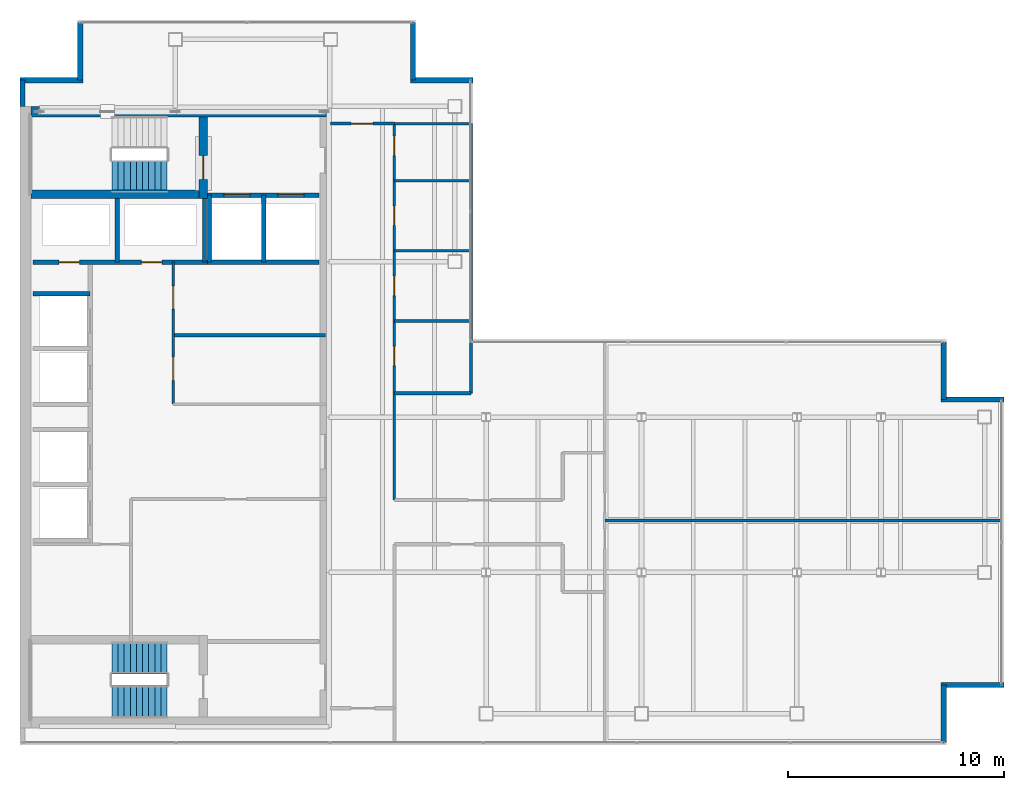
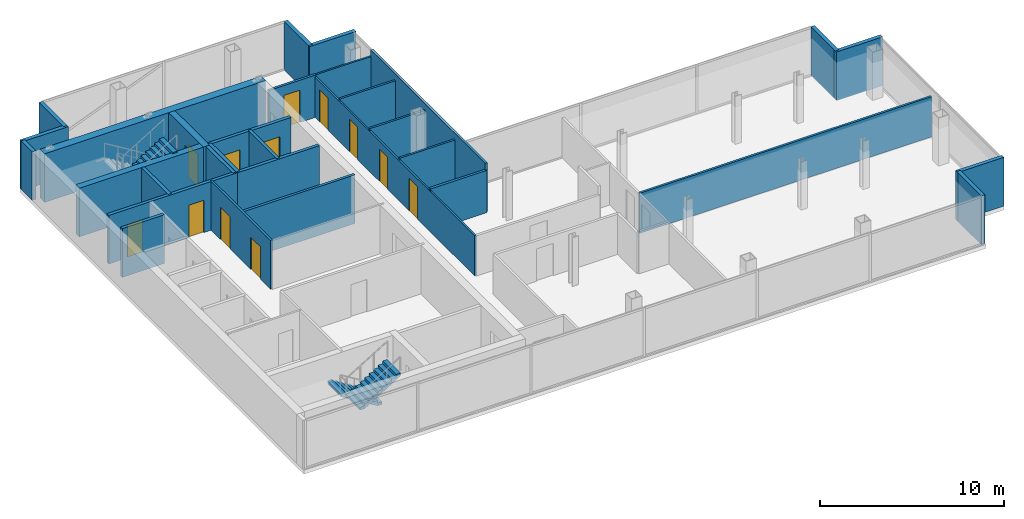
# One storey, part 21 of 23: 31 walls, 12 doors, 3 stair flights, 12 openings, 2 elements without a shape of their own.
"""IFC4 building model written with IfcOpenShell, lengths in metres."""

from ifc_helpers import new_model, si_unit, direction, frame, frame_2d, origin, place, context, subcontext, project, spatial, polyline, rectangle, outline, extrude, material, layer, layer_set, type_object, element, fill, aggregate, save


model = new_model("IFC4")

# Units and contexts
model_context = context("Model", 3, precision=1e-05, world=origin(), true_north=direction((0.0, 1.0)))
body_context = subcontext(model_context, "Body", "Model", "MODEL_VIEW")
ifc_project = project(units=[si_unit("LENGTHUNIT", "METRE"), si_unit("AREAUNIT", "SQUARE_METRE"), si_unit("VOLUMEUNIT", "CUBIC_METRE"), si_unit("PLANEANGLEUNIT", "RADIAN"), si_unit("MASSUNIT", "GRAM", prefix="KILO")], contexts=[model_context])

# Site, building, storey
site_placement = place(None, origin())
site = spatial("IfcSite", under=ifc_project, at=site_placement, CompositionType="ELEMENT")
building_placement = place(site_placement, origin())
building = spatial("IfcBuilding", under=site, at=building_placement, Name="Cobrela Telecom Tower", CompositionType="ELEMENT")
storey_placement = place(building_placement, frame((0.0, 0.0, 279.64990234375)))
storey = spatial("IfcBuildingStorey", under=building, at=storey_placement, Name="L73", CompositionType="ELEMENT", Elevation=279.64990234375)

# Walls
ifc_material_1 = material(Name="Concrete C40/50", Category="concrete")
ifc_layer_1 = layer(ifc_material_1, 0.5)
ifc_layer_set_1 = layer_set([ifc_layer_1], Name="Concrete C40/50")
wall_type_1 = type_object("IfcWallType", Name="WALL-CORE-C40-500", PredefinedType="SHEAR", material=ifc_layer_set_1)
wall_1_placement = place(storey_placement, frame((0.5, 35.75, 0.0), z_axis=(0.0, 0.0, 1.0), x_axis=(1.0, 0.0, 0.0)))
element("IfcWall", 1, at=wall_1_placement, inside=storey, type_object=wall_type_1, Name="L73 North Core Shear Wall", PredefinedType="SHEAR", context=body_context, shape_type="SweptSolid", body=[
    extrude(rectangle(XDim=13.89990234375, YDim=0.5, at=frame_2d((6.949951171875, 0.0))), origin(), (0.0, 0.0, 1.0), 3.239990234375),
])
ifc_layer_2 = layer(ifc_material_1, 0.239990234375)
ifc_layer_set_2 = layer_set([ifc_layer_2], Name="Concrete C40/50")
wall_type_2 = type_object("IfcWallType", Name="WALL-EXT-300", PredefinedType="STANDARD", material=ifc_layer_set_2)
wall_2_placement = place(storey_placement, frame((0.1201171875, 36.0, 0.0), z_axis=(0.0, 0.0, 1.0), x_axis=(0.0, 1.0, 0.0)))
element("IfcWall", 2, at=wall_2_placement, inside=storey, type_object=wall_type_2, Name="L73 Insulated Facade Wall 02", PredefinedType="STANDARD", context=body_context, shape_type="SweptSolid", body=[
    extrude(rectangle(XDim=1.2099609375, YDim=0.239990234375, at=frame_2d((0.60498046875, 0.0))), origin(), (0.0, 0.0, 1.0), 3.239990234375),
])
wall_3_placement = place(storey_placement, frame((0.0, 37.2099609375, 0.0), z_axis=(0.0, 0.0, 1.0), x_axis=(1.0, 0.0, 0.0)))
element("IfcWall", 3, at=wall_3_placement, inside=storey, type_object=wall_type_2, Name="L73 Insulated Facade Wall 03", PredefinedType="STANDARD", context=body_context, shape_type="SweptSolid", body=[
    extrude(rectangle(XDim=2.909912109375, YDim=0.239990234375, at=frame_2d((1.455078125, 0.0))), origin(), (0.0, 0.0, 1.0), 3.239990234375),
])
for number, where, z_axis, x_axis, name in (
    (4, (2.7900390625, 37.2099609375, 0.0), (0.0, 0.0, 1.0), (0.0, 1.0, 0.0), "L73 Insulated Facade Wall 04"),
    (5, (18.2099609375, 39.8798828125, 0.0), (0.0, 0.0, 1.0), (0.0, -1.0, 0.0), "L73 Insulated Facade Wall 06"),
):
    element("IfcWall", number, at=place(storey_placement, frame(where, z_axis=z_axis, x_axis=x_axis)), inside=storey, type_object=wall_type_2, Name=name, PredefinedType="STANDARD", context=body_context, shape_type="SweptSolid", body=[
        extrude(rectangle(XDim=2.669921875, YDim=0.239990234375, at=frame_2d((1.3349609375, 0.0))), origin(), (0.0, 0.0, 1.0), 3.239990234375),
    ])
wall_4_placement = place(storey_placement, frame((18.090087890625, 37.2099609375, 0.0), z_axis=(0.0, 0.0, 1.0), x_axis=(1.0, 0.0, 0.0)))
element("IfcWall", 6, at=wall_4_placement, inside=storey, type_object=wall_type_2, Name="L73 Insulated Facade Wall 07", PredefinedType="STANDARD", context=body_context, shape_type="SweptSolid", body=[
    extrude(rectangle(XDim=2.909912109375, YDim=0.239990234375, at=frame_2d((1.455078125, 0.0))), origin(), (0.0, 0.0, 1.0), 3.239990234375),
])
wall_5_placement = place(storey_placement, frame((42.81005859375, 25.080078125, 0.0), z_axis=(0.0, 0.0, 1.0), x_axis=(0.0, -1.0, 0.0)))
element("IfcWall", 7, at=wall_5_placement, inside=storey, type_object=wall_type_2, Name="L73 Insulated Facade Wall 10", PredefinedType="STANDARD", context=body_context, shape_type="SweptSolid", body=[
    extrude(rectangle(XDim=2.670166015625, YDim=0.239990234375, at=frame_2d((1.3349609375, 0.0))), origin(), (0.0, 0.0, 1.0), 3.239990234375),
])
for number, where, z_axis, x_axis, name in (
    (8, (42.68994140625, 22.409912109375, 0.0), (0.0, 0.0, 1.0), (1.0, 0.0, 0.0), "L73 Insulated Facade Wall 11"),
    (9, (45.60009765625, 9.18994140625, 0.0), (0.0, 0.0, 1.0), (-1.0, 0.0, 0.0), "L73 Insulated Facade Wall 13"),
):
    element("IfcWall", number, at=place(storey_placement, frame(where, z_axis=z_axis, x_axis=x_axis)), inside=storey, type_object=wall_type_2, Name=name, PredefinedType="STANDARD", context=body_context, shape_type="SweptSolid", body=[
        extrude(rectangle(XDim=2.91015625, YDim=0.239990234375, at=frame_2d((1.455078125, 0.0))), origin(), (0.0, 0.0, 1.0), 3.239990234375),
    ])
wall_6_placement = place(storey_placement, frame((42.81005859375, 9.18994140625, 0.0), z_axis=(0.0, 0.0, 1.0), x_axis=(0.0, -1.0, 0.0)))
element("IfcWall", 10, at=wall_6_placement, inside=storey, type_object=wall_type_2, Name="L73 Insulated Facade Wall 14", PredefinedType="STANDARD", context=body_context, shape_type="SweptSolid", body=[
    extrude(rectangle(XDim=2.669921875, YDim=0.239990234375, at=frame_2d((1.3349609375, 0.0))), origin(), (0.0, 0.0, 1.0), 3.239990234375),
])

# Wall, openings, doors
ifc_material_2 = material(Name="Fire-Rated Gypsum Plasterboard")
ifc_layer_3 = layer(ifc_material_2, 0.110107421875)
ifc_layer_set_3 = layer_set([ifc_layer_3], Name="Fire-Rated Gypsum Plasterboard")
wall_type_3 = type_object("IfcWallType", Name="WALL-PART-110", PredefinedType="PARTITIONING", material=ifc_layer_set_3)
wall_7_placement = place(storey_placement, frame((17.35009765625, 17.75, 0.0), z_axis=(0.0, 0.0, 1.0), x_axis=(0.0, 1.0, 0.0)))
wall_7 = element("IfcWall", 11, at=wall_7_placement, inside=storey, type_object=wall_type_3, Name="L73 Interior Partition W-C-E2", PredefinedType="PARTITIONING", context=body_context, shape_type="SweptSolid", body=[
    extrude(rectangle(XDim=17.449951171875, YDim=0.110107421875, at=frame_2d((8.72509765625, 0.0))), origin(), (0.0, 0.0, 1.0), 2.676025390625),
])
opening_1_placement = place(wall_7_placement, frame((6.22998046875, 0.0, 0.0)))
opening_1 = element("IfcOpeningElement", 12, at=opening_1_placement, cuts=wall_7, Name="Opening DR-41", PredefinedType="OPENING", context=body_context, shape_type="SweptSolid", body=[
    extrude(rectangle(XDim=0.89990234375, YDim=2.14990234375, at=frame_2d((0.449951171875, 1.074951171875))), frame((0.0, 0.06689453125, 0.0), z_axis=(0.0, -1.0, 0.0), x_axis=(1.0, 0.0, 0.0)), (0.0, 0.0, 1.0), 0.134033203125),
])
opening_2_placement = place(wall_7_placement, frame((9.47998046875, 0.0, 0.0)))
opening_2 = element("IfcOpeningElement", 13, at=opening_2_placement, cuts=wall_7, Name="Opening DR-41", PredefinedType="OPENING", context=body_context, shape_type="SweptSolid", body=[
    extrude(rectangle(XDim=0.89990234375, YDim=2.14990234375, at=frame_2d((0.449951171875, 1.074951171875))), frame((0.0, 0.06689453125, 0.0), z_axis=(0.0, -1.0, 0.0), x_axis=(1.0, 0.0, 0.0)), (0.0, 0.0, 1.0), 0.134033203125),
])
opening_3_placement = place(wall_7_placement, frame((12.72998046875, 0.0, 0.0)))
opening_3 = element("IfcOpeningElement", 14, at=opening_3_placement, cuts=wall_7, Name="Opening DR-41", PredefinedType="OPENING", context=body_context, shape_type="SweptSolid", body=[
    extrude(rectangle(XDim=0.89990234375, YDim=2.14990234375, at=frame_2d((0.449951171875, 1.074951171875))), frame((0.0, 0.06689453125, 0.0), z_axis=(0.0, -1.0, 0.0), x_axis=(1.0, 0.0, 0.0)), (0.0, 0.0, 1.0), 0.134033203125),
])
opening_4_placement = place(wall_7_placement, frame((15.969970703125, 0.0, 0.0)))
opening_4 = element("IfcOpeningElement", 15, at=opening_4_placement, cuts=wall_7, Name="Opening DR-41", PredefinedType="OPENING", context=body_context, shape_type="SweptSolid", body=[
    extrude(rectangle(XDim=0.89990234375, YDim=2.14990234375, at=frame_2d((0.449951171875, 1.074951171875))), frame((0.0, 0.06689453125, 0.0), z_axis=(0.0, -1.0, 0.0), x_axis=(1.0, 0.0, 0.0)), (0.0, 0.0, 1.0), 0.134033203125),
])
ifc_material_3 = material(Name="Solid Engineered Oak Timber", Category="wood")
door_type_1 = type_object("IfcDoorType", Name="DOOR-INT-900", OperationType="SINGLE_SWING_LEFT", PredefinedType="DOOR", material=ifc_material_3)
door_1_placement = place(opening_1_placement, origin())
door_1 = element("IfcDoor", 16, at=door_1_placement, inside=storey, type_object=door_type_1, Name="L73 Door DR-41", OperationType="SINGLE_SWING_LEFT", OverallHeight=2.14990234375, OverallWidth=0.89990234375, PredefinedType="DOOR", context=body_context, shape_type="SweptSolid", body=[
    extrude(rectangle(XDim=0.89990234375, YDim=2.14990234375, at=frame_2d((0.449951171875, 1.074951171875))), frame((0.0, 0.02490234375, 0.0), z_axis=(0.0, -1.0, 0.0), x_axis=(1.0, 0.0, 0.0)), (0.0, 0.0, 1.0), 0.050048828125),
])
fill(opening_1, door_1)
door_2_placement = place(opening_2_placement, origin())
door_2 = element("IfcDoor", 17, at=door_2_placement, inside=storey, type_object=door_type_1, Name="L73 Door DR-41", OperationType="SINGLE_SWING_RIGHT", OverallHeight=2.14990234375, OverallWidth=0.89990234375, PredefinedType="DOOR", context=body_context, shape_type="SweptSolid", body=[
    extrude(rectangle(XDim=0.89990234375, YDim=2.14990234375, at=frame_2d((0.449951171875, 1.074951171875))), frame((0.0, 0.02490234375, 0.0), z_axis=(0.0, -1.0, 0.0), x_axis=(1.0, 0.0, 0.0)), (0.0, 0.0, 1.0), 0.050048828125),
])
fill(opening_2, door_2)
door_3_placement = place(opening_3_placement, origin())
door_3 = element("IfcDoor", 18, at=door_3_placement, inside=storey, type_object=door_type_1, Name="L73 Door DR-41", OperationType="SINGLE_SWING_LEFT", OverallHeight=2.14990234375, OverallWidth=0.89990234375, PredefinedType="DOOR", context=body_context, shape_type="SweptSolid", body=[
    extrude(rectangle(XDim=0.89990234375, YDim=2.14990234375, at=frame_2d((0.449951171875, 1.074951171875))), frame((0.0, 0.02490234375, 0.0), z_axis=(0.0, -1.0, 0.0), x_axis=(1.0, 0.0, 0.0)), (0.0, 0.0, 1.0), 0.050048828125),
])
fill(opening_3, door_3)
door_4_placement = place(opening_4_placement, origin())
door_4 = element("IfcDoor", 19, at=door_4_placement, inside=storey, type_object=door_type_1, Name="L73 Door DR-41", OperationType="SINGLE_SWING_RIGHT", OverallHeight=2.14990234375, OverallWidth=0.89990234375, PredefinedType="DOOR", context=body_context, shape_type="SweptSolid", body=[
    extrude(rectangle(XDim=0.89990234375, YDim=2.14990234375, at=frame_2d((0.449951171875, 1.074951171875))), frame((0.0, 0.02490234375, 0.0), z_axis=(0.0, -1.0, 0.0), x_axis=(1.0, 0.0, 0.0)), (0.0, 0.0, 1.0), 0.050048828125),
])
fill(opening_4, door_4)

# Walls
wall_8_placement = place(storey_placement, frame((17.35009765625, 35.199951171875, 0.0), z_axis=(0.0, 0.0, 1.0), x_axis=(1.0, 0.0, 0.0)))
element("IfcWall", 20, at=wall_8_placement, inside=storey, type_object=wall_type_3, Name="L73 Interior Partition W-NW-S", PredefinedType="PARTITIONING", context=body_context, shape_type="SweptSolid", body=[
    extrude(rectangle(XDim=3.52978515625, YDim=0.110107421875, at=frame_2d((1.764892578125, 0.0))), origin(), (0.0, 0.0, 1.0), 2.80810546875),
])
ifc_layer_4 = layer(ifc_material_2, 0.125)
ifc_layer_set_4 = layer_set([ifc_layer_4], Name="Fire-Rated Gypsum Plasterboard")
wall_type_4 = type_object("IfcWallType", Name="WALL-PART-125", PredefinedType="PARTITIONING", material=ifc_layer_set_4)
for number, where, z_axis, x_axis, name in (
    (21, (17.35009765625, 26.050048828125, 0.0), (0.0, 0.0, 1.0), (1.0, 0.0, 0.0), "L73 Interior Partition W-WCD-1"),
    (22, (17.35009765625, 29.300048828125, 0.0), (0.0, 0.0, 1.0), (1.0, 0.0, 0.0), "L73 Interior Partition W-WCD-2"),
    (23, (17.35009765625, 32.550048828125, 0.0), (0.0, 0.0, 1.0), (1.0, 0.0, 0.0), "L73 Interior Partition W-WCD-3"),
):
    element("IfcWall", number, at=place(storey_placement, frame(where, z_axis=z_axis, x_axis=x_axis)), inside=storey, type_object=wall_type_4, Name=name, PredefinedType="PARTITIONING", context=body_context, shape_type="SweptSolid", body=[
        extrude(rectangle(XDim=3.5498046875, YDim=0.125, at=frame_2d((1.77490234375, 0.0))), origin(), (0.0, 0.0, 1.0), 2.80810546875),
    ])

# Wall, openings, doors
ifc_layer_5 = layer(ifc_material_2, 0.135009765625)
ifc_layer_set_5 = layer_set([ifc_layer_5], Name="Fire-Rated Gypsum Plasterboard")
wall_type_5 = type_object("IfcWallType", Name="WALL-PART-135", PredefinedType="PARTITIONING", material=ifc_layer_set_5)
wall_9_placement = place(storey_placement, frame((7.10009765625, 22.199951171875, 0.0), z_axis=(0.0, 0.0, 1.0), x_axis=(0.0, 1.0, 0.0)))
wall_9 = element("IfcWall", 24, at=wall_9_placement, inside=storey, type_object=wall_type_5, Name="L73 Interior Partition CW-RECL-W", PredefinedType="PARTITIONING", context=body_context, shape_type="SweptSolid", body=[
    extrude(rectangle(XDim=6.580078125, YDim=0.135009765625, at=frame_2d((3.2900390625, 0.0))), origin(), (0.0, 0.0, 1.0), 3.239990234375),
])
opening_5_placement = place(wall_9_placement, frame((1.10009765625, 0.0, 0.0)))
opening_5 = element("IfcOpeningElement", 25, at=opening_5_placement, cuts=wall_9, Name="Opening DR-63", PredefinedType="OPENING", context=body_context, shape_type="SweptSolid", body=[
    extrude(rectangle(XDim=1.080078125, YDim=2.14990234375, at=frame_2d((0.5400390625, 1.074951171875))), frame((0.0, 0.07958984375, 0.0), z_axis=(0.0, -1.0, 0.0), x_axis=(1.0, 0.0, 0.0)), (0.0, 0.0, 1.0), 0.158935546875),
])
opening_6_placement = place(wall_9_placement, frame((4.39990234375, 0.0, 0.0)))
opening_6 = element("IfcOpeningElement", 26, at=opening_6_placement, cuts=wall_9, Name="Opening DR-63", PredefinedType="OPENING", context=body_context, shape_type="SweptSolid", body=[
    extrude(rectangle(XDim=1.080078125, YDim=2.14990234375, at=frame_2d((0.5400390625, 1.074951171875))), frame((0.0, 0.07958984375, 0.0), z_axis=(0.0, -1.0, 0.0), x_axis=(1.0, 0.0, 0.0)), (0.0, 0.0, 1.0), 0.158935546875),
])
door_type_2 = type_object("IfcDoorType", Name="DOOR-INT-1080", OperationType="SINGLE_SWING_LEFT", PredefinedType="DOOR", material=ifc_material_3)
door_5_placement = place(opening_5_placement, origin())
door_5 = element("IfcDoor", 27, at=door_5_placement, inside=storey, type_object=door_type_2, Name="L73 Door DR-63", OperationType="SINGLE_SWING_RIGHT", OverallHeight=2.14990234375, OverallWidth=1.080078125, PredefinedType="DOOR", context=body_context, shape_type="SweptSolid", body=[
    extrude(rectangle(XDim=1.080078125, YDim=2.14990234375, at=frame_2d((0.5400390625, 1.074951171875))), frame((0.0, 0.02490234375, 0.0), z_axis=(0.0, -1.0, 0.0), x_axis=(1.0, 0.0, 0.0)), (0.0, 0.0, 1.0), 0.050048828125),
])
fill(opening_5, door_5)
door_6_placement = place(opening_6_placement, origin())
door_6 = element("IfcDoor", 28, at=door_6_placement, inside=storey, type_object=door_type_2, Name="L73 Door DR-63", OperationType="SINGLE_SWING_LEFT", OverallHeight=2.14990234375, OverallWidth=1.080078125, PredefinedType="DOOR", context=body_context, shape_type="SweptSolid", body=[
    extrude(rectangle(XDim=1.080078125, YDim=2.14990234375, at=frame_2d((0.5400390625, 1.074951171875))), frame((0.0, 0.02490234375, 0.0), z_axis=(0.0, -1.0, 0.0), x_axis=(1.0, 0.0, 0.0)), (0.0, 0.0, 1.0), 0.050048828125),
])
fill(opening_6, door_6)

# Wall
wall_10_placement = place(storey_placement, frame((27.10009765625, 16.800048828125, 0.0), z_axis=(0.0, 0.0, 1.0), x_axis=(1.0, 0.0, 0.0)))
element("IfcWall", 29, at=wall_10_placement, inside=storey, type_object=wall_type_5, Name="L73 Interior Partition W-FE-H", PredefinedType="PARTITIONING", context=body_context, shape_type="SweptSolid", body=[
    extrude(rectangle(XDim=18.3798828125, YDim=0.135009765625, at=frame_2d((9.18994140625, 0.0))), origin(), (0.0, 0.0, 1.0), 2.676025390625),
])

# Wall, opening, door
ifc_layer_6 = layer(ifc_material_2, 0.14990234375)
ifc_layer_set_6 = layer_set([ifc_layer_6], Name="Fire-Rated Gypsum Plasterboard")
wall_type_6 = type_object("IfcWallType", Name="WALL-PART-150", PredefinedType="PARTITIONING", material=ifc_layer_set_6)
wall_11_placement = place(storey_placement, frame((14.39990234375, 35.199951171875, 0.0), z_axis=(0.0, 0.0, 1.0), x_axis=(1.0, 0.0, 0.0)))
wall_11 = element("IfcWall", 30, at=wall_11_placement, inside=storey, type_object=wall_type_6, Name="L73 Interior Partition W-C-N0", PredefinedType="PARTITIONING", context=body_context, shape_type="SweptSolid", body=[
    extrude(rectangle(XDim=2.9501953125, YDim=0.14990234375, at=frame_2d((1.47509765625, 0.0))), origin(), (0.0, 0.0, 1.0), 2.80810546875),
])
opening_7_placement = place(wall_11_placement, frame((0.949951171875, 0.0, 0.0)))
opening_7 = element("IfcOpeningElement", 31, at=opening_7_placement, cuts=wall_11, Name="Opening DR-31", PredefinedType="OPENING", context=body_context, shape_type="SweptSolid", body=[
    extrude(rectangle(XDim=1.0, YDim=2.14990234375, at=frame_2d((0.5, 1.074951171875))), frame((0.0, 0.0869140625, 0.0), z_axis=(0.0, -1.0, 0.0), x_axis=(1.0, 0.0, 0.0)), (0.0, 0.0, 1.0), 0.173828125),
])
door_type_3 = type_object("IfcDoorType", Name="DOOR-INT-1000", OperationType="SINGLE_SWING_LEFT", PredefinedType="DOOR", material=ifc_material_3)
door_7_placement = place(opening_7_placement, origin())
door_7 = element("IfcDoor", 32, at=door_7_placement, inside=storey, type_object=door_type_3, Name="L73 Door DR-31", OperationType="SINGLE_SWING_LEFT", OverallHeight=2.14990234375, OverallWidth=1.0, PredefinedType="DOOR", context=body_context, shape_type="SweptSolid", body=[
    extrude(rectangle(XDim=1.0, YDim=2.14990234375, at=frame_2d((0.5, 1.074951171875))), frame((0.0, 0.02490234375, 0.0), z_axis=(0.0, -1.0, 0.0), x_axis=(1.0, 0.0, 0.0)), (0.0, 0.0, 1.0), 0.050048828125),
])
fill(opening_7, door_7)

# Walls
wall_12_placement = place(storey_placement, frame((20.89990234375, 22.699951171875, 0.0), z_axis=(0.0, 0.0, 1.0), x_axis=(0.0, 1.0, 0.0)))
element("IfcWall", 33, at=wall_12_placement, inside=storey, type_object=wall_type_6, Name="L73 Interior Partition W-WC-E", PredefinedType="PARTITIONING", context=body_context, shape_type="SweptSolid", body=[
    extrude(rectangle(XDim=12.5, YDim=0.14990234375, at=frame_2d((6.25, 0.0))), origin(), (0.0, 0.0, 1.0), 3.239990234375),
])
ifc_layer_7 = layer(ifc_material_2, 0.159912109375)
ifc_layer_set_7 = layer_set([ifc_layer_7], Name="Fire-Rated Gypsum Plasterboard")
wall_type_7 = type_object("IfcWallType", Name="WALL-PART-160", PredefinedType="PARTITIONING", material=ifc_layer_set_7)
wall_13_placement = place(storey_placement, frame((7.10009765625, 25.39990234375, 0.0), z_axis=(0.0, 0.0, 1.0), x_axis=(1.0, 0.0, 0.0)))
element("IfcWall", 34, at=wall_13_placement, inside=storey, type_object=wall_type_7, Name="L73 Interior Partition CW-RECL-H", PredefinedType="PARTITIONING", context=body_context, shape_type="SweptSolid", body=[
    extrude(rectangle(XDim=7.0498046875, YDim=0.159912109375, at=frame_2d((3.52490234375, 0.0))), origin(), (0.0, 0.0, 1.0), 3.239990234375),
])
wall_14_placement = place(storey_placement, frame((17.35009765625, 22.699951171875, 0.0), z_axis=(0.0, 0.0, 1.0), x_axis=(1.0, 0.0, 0.0)))
element("IfcWall", 35, at=wall_14_placement, inside=storey, type_object=wall_type_7, Name="L73 Interior Partition W-WC-S", PredefinedType="PARTITIONING", context=body_context, shape_type="SweptSolid", body=[
    extrude(rectangle(XDim=3.5498046875, YDim=0.159912109375, at=frame_2d((1.77490234375, 0.0))), origin(), (0.0, 0.0, 1.0), 2.80810546875),
])

# Wall, openings, doors
ifc_layer_8 = layer(ifc_material_2, 0.199951171875)
ifc_layer_set_8 = layer_set([ifc_layer_8], Name="Fire-Rated Gypsum Plasterboard")
wall_type_8 = type_object("IfcWallType", Name="WALL-SHAFT-200", PredefinedType="PARTITIONING", material=ifc_layer_set_8)
wall_15_placement = place(storey_placement, frame((8.699951171875, 31.8798828125, 0.0), z_axis=(0.0, 0.0, 1.0), x_axis=(1.0, 0.0, 0.0)))
wall_15 = element("IfcWall", 36, at=wall_15_placement, inside=storey, type_object=wall_type_8, Name="L73 Shaft Enclosure CW-FFL-S", PredefinedType="PARTITIONING", context=body_context, shape_type="SweptSolid", body=[
    extrude(rectangle(XDim=5.150146484375, YDim=0.199951171875, at=frame_2d((2.5751953125, 0.0))), origin(), (0.0, 0.0, 1.0), 3.239990234375),
])
opening_8_placement = place(wall_15_placement, frame((0.75, 0.0, 0.0)))
opening_8 = element("IfcOpeningElement", 37, at=opening_8_placement, cuts=wall_15, Name="Opening LD-2", PredefinedType="OPENING", context=body_context, shape_type="SweptSolid", body=[
    extrude(rectangle(XDim=1.199951171875, YDim=2.199951171875, at=frame_2d((0.60009765625, 1.10009765625))), frame((0.0, 0.11181640625, 0.0), z_axis=(0.0, -1.0, 0.0), x_axis=(1.0, 0.0, 0.0)), (0.0, 0.0, 1.0), 0.223876953125),
])
opening_9_placement = place(wall_15_placement, frame((3.25, 0.0, 0.0)))
opening_9 = element("IfcOpeningElement", 38, at=opening_9_placement, cuts=wall_15, Name="Opening LD-2", PredefinedType="OPENING", context=body_context, shape_type="SweptSolid", body=[
    extrude(rectangle(XDim=1.199951171875, YDim=2.199951171875, at=frame_2d((0.60009765625, 1.10009765625))), frame((0.0, 0.11181640625, 0.0), z_axis=(0.0, -1.0, 0.0), x_axis=(1.0, 0.0, 0.0)), (0.0, 0.0, 1.0), 0.223876953125),
])
ifc_material_4 = material(Name="Steel ASTM A36", Category="steel")
door_type_4 = type_object("IfcDoorType", Name="DOOR-LD-FFL", OperationType="SINGLE_SWING_LEFT", PredefinedType="DOOR", material=ifc_material_4)
door_8_placement = place(opening_8_placement, origin())
door_8 = element("IfcDoor", 39, at=door_8_placement, inside=storey, type_object=door_type_4, Name="L73 Lift Landing Door LD-2", OperationType="DOUBLE_DOOR_SLIDING", OverallHeight=2.199951171875, OverallWidth=1.199951171875, PredefinedType="DOOR", context=body_context, shape_type="SweptSolid", body=[
    extrude(rectangle(XDim=1.199951171875, YDim=2.199951171875, at=frame_2d((0.60009765625, 1.10009765625))), frame((0.0, 0.02490234375, 0.0), z_axis=(0.0, -1.0, 0.0), x_axis=(1.0, 0.0, 0.0)), (0.0, 0.0, 1.0), 0.050048828125),
])
fill(opening_8, door_8)
door_9_placement = place(opening_9_placement, origin())
door_9 = element("IfcDoor", 40, at=door_9_placement, inside=storey, type_object=door_type_4, Name="L73 Lift Landing Door LD-2", OperationType="DOUBLE_DOOR_SLIDING", OverallHeight=2.199951171875, OverallWidth=1.199951171875, PredefinedType="DOOR", context=body_context, shape_type="SweptSolid", body=[
    extrude(rectangle(XDim=1.199951171875, YDim=2.199951171875, at=frame_2d((0.60009765625, 1.10009765625))), frame((0.0, 0.02490234375, 0.0), z_axis=(0.0, -1.0, 0.0), x_axis=(1.0, 0.0, 0.0)), (0.0, 0.0, 1.0), 0.050048828125),
])
fill(opening_9, door_9)

# Walls
wall_16_placement = place(storey_placement, frame((8.699951171875, 28.780029296875, 0.0), z_axis=(0.0, 0.0, 1.0), x_axis=(1.0, 0.0, 0.0)))
element("IfcWall", 41, at=wall_16_placement, inside=storey, type_object=wall_type_8, Name="L73 Shaft Enclosure CW-FFL-S2", PredefinedType="PARTITIONING", context=body_context, shape_type="SweptSolid", body=[
    extrude(rectangle(XDim=5.150146484375, YDim=0.199951171875, at=frame_2d((2.5751953125, 0.0))), origin(), (0.0, 0.0, 1.0), 3.239990234375),
])
for number, where, z_axis, x_axis, name in (
    (42, (8.780029296875, 28.780029296875, 0.0), (0.0, 0.0, 1.0), (0.0, 1.0, 0.0), "L73 Shaft Enclosure CW-FFL-W"),
    (43, (11.300048828125, 28.780029296875, 0.0), (0.0, 0.0, 1.0), (0.0, 1.0, 0.0), "L73 Shaft Enclosure CW-FFL-M"),
):
    element("IfcWall", number, at=place(storey_placement, frame(where, z_axis=z_axis, x_axis=x_axis)), inside=storey, type_object=wall_type_8, Name=name, PredefinedType="PARTITIONING", context=body_context, shape_type="SweptSolid", body=[
        extrude(rectangle(XDim=3.099853515625, YDim=0.199951171875, at=frame_2d((1.5498046875, 0.0))), origin(), (0.0, 0.0, 1.0), 3.239990234375),
    ])

# Wall, openings, doors
wall_17_placement = place(storey_placement, frame((0.60009765625, 28.780029296875, 0.0), z_axis=(0.0, 0.0, 1.0), x_axis=(1.0, 0.0, 0.0)))
wall_17 = element("IfcWall", 44, at=wall_17_placement, inside=storey, type_object=wall_type_8, Name="L73 Shaft Enclosure CW-RIS-S", PredefinedType="PARTITIONING", context=body_context, shape_type="SweptSolid", body=[
    extrude(rectangle(XDim=8.179931640625, YDim=0.199951171875, at=frame_2d((4.08984375, 0.0))), origin(), (0.0, 0.0, 1.0), 3.239990234375),
])
opening_10_placement = place(wall_17_placement, frame((1.2099609375, 0.0, 0.0)))
opening_10 = element("IfcOpeningElement", 45, at=opening_10_placement, cuts=wall_17, Name="Opening DR-65", PredefinedType="OPENING", context=body_context, shape_type="SweptSolid", body=[
    extrude(rectangle(XDim=0.949951171875, YDim=2.14990234375, at=frame_2d((0.47509765625, 1.074951171875))), frame((0.0, 0.11181640625, 0.0), z_axis=(0.0, -1.0, 0.0), x_axis=(1.0, 0.0, 0.0)), (0.0, 0.0, 1.0), 0.223876953125),
])
opening_11_placement = place(wall_17_placement, frame((5.030029296875, 0.0, 0.0)))
opening_11 = element("IfcOpeningElement", 46, at=opening_11_placement, cuts=wall_17, Name="Opening DR-65", PredefinedType="OPENING", context=body_context, shape_type="SweptSolid", body=[
    extrude(rectangle(XDim=0.949951171875, YDim=2.14990234375, at=frame_2d((0.47509765625, 1.074951171875))), frame((0.0, 0.11181640625, 0.0), z_axis=(0.0, -1.0, 0.0), x_axis=(1.0, 0.0, 0.0)), (0.0, 0.0, 1.0), 0.223876953125),
])
door_type_5 = type_object("IfcDoorType", Name="DOOR-FD60-950", OperationType="SINGLE_SWING_LEFT", PredefinedType="DOOR", material=ifc_material_4)
door_10_placement = place(opening_10_placement, origin())
door_10 = element("IfcDoor", 47, at=door_10_placement, inside=storey, type_object=door_type_5, Name="L73 Door DR-65", OperationType="SINGLE_SWING_LEFT", OverallHeight=2.14990234375, OverallWidth=0.949951171875, PredefinedType="DOOR", context=body_context, shape_type="SweptSolid", body=[
    extrude(rectangle(XDim=0.949951171875, YDim=2.14990234375, at=frame_2d((0.47509765625, 1.074951171875))), frame((0.0, 0.02490234375, 0.0), z_axis=(0.0, -1.0, 0.0), x_axis=(1.0, 0.0, 0.0)), (0.0, 0.0, 1.0), 0.050048828125),
])
fill(opening_10, door_10)
door_11_placement = place(opening_11_placement, origin())
door_11 = element("IfcDoor", 48, at=door_11_placement, inside=storey, type_object=door_type_5, Name="L73 Door DR-65", OperationType="SINGLE_SWING_RIGHT", OverallHeight=2.14990234375, OverallWidth=0.949951171875, PredefinedType="DOOR", context=body_context, shape_type="SweptSolid", body=[
    extrude(rectangle(XDim=0.949951171875, YDim=2.14990234375, at=frame_2d((0.47509765625, 1.074951171875))), frame((0.0, 0.02490234375, 0.0), z_axis=(0.0, -1.0, 0.0), x_axis=(1.0, 0.0, 0.0)), (0.0, 0.0, 1.0), 0.050048828125),
])
fill(opening_11, door_11)

# Walls
for number, where, z_axis, x_axis, name in (
    (49, (4.5, 28.780029296875, 0.0), (0.0, 0.0, 1.0), (0.0, 1.0, 0.0), "L73 Shaft Enclosure CW-RIS-M"),
    (50, (8.550048828125, 28.780029296875, 0.0), (0.0, 0.0, 1.0), (0.0, 1.0, 0.0), "L73 Shaft Enclosure CW-RIS-E"),
):
    element("IfcWall", number, at=place(storey_placement, frame(where, z_axis=z_axis, x_axis=x_axis)), inside=storey, type_object=wall_type_8, Name=name, PredefinedType="PARTITIONING", context=body_context, shape_type="SweptSolid", body=[
        extrude(rectangle(XDim=2.93994140625, YDim=0.199951171875, at=frame_2d((1.469970703125, 0.0))), origin(), (0.0, 0.0, 1.0), 3.239990234375),
    ])
wall_18_placement = place(storey_placement, frame((0.60009765625, 27.320068359375, 0.0), z_axis=(0.0, 0.0, 1.0), x_axis=(1.0, 0.0, 0.0)))
element("IfcWall", 51, at=wall_18_placement, inside=storey, type_object=wall_type_8, Name="L73 Shaft Enclosure CW-PLH-TOP", PredefinedType="PARTITIONING", context=body_context, shape_type="SweptSolid", body=[
    extrude(rectangle(XDim=2.64990234375, YDim=0.199951171875, at=frame_2d((1.324951171875, 0.0))), origin(), (0.0, 0.0, 1.0), 3.239990234375),
])
ifc_layer_9 = layer(ifc_material_1, 0.39990234375)
ifc_layer_set_9 = layer_set([ifc_layer_9], Name="Concrete C40/50")
wall_type_9 = type_object("IfcWallType", Name="WALL-SHAFT-C40-400", PredefinedType="SHEAR", material=ifc_layer_set_9)
wall_19_placement = place(storey_placement, frame((0.5, 31.919921875, 0.0), z_axis=(0.0, 0.0, 1.0), x_axis=(1.0, 0.0, 0.0)))
element("IfcWall", 52, at=wall_19_placement, inside=storey, type_object=wall_type_9, Name="L73 North Stair Shear Wall", PredefinedType="SHEAR", context=body_context, shape_type="SweptSolid", body=[
    extrude(rectangle(XDim=7.800048828125, YDim=0.39990234375, at=frame_2d((3.89990234375, 0.0))), origin(), (0.0, 0.0, 1.0), 3.239990234375),
])

# Wall, opening, door
wall_20_placement = place(storey_placement, frame((8.5, 31.719970703125, 0.0), z_axis=(0.0, 0.0, 1.0), x_axis=(0.0, 1.0, 0.0)))
wall_20 = element("IfcWall", 53, at=wall_20_placement, inside=storey, type_object=wall_type_9, Name="L73 North Stair Lobby Shear Wall", PredefinedType="SHEAR", context=body_context, shape_type="SweptSolid", body=[
    extrude(rectangle(XDim=3.780029296875, YDim=0.39990234375, at=frame_2d((1.89013671875, 0.0))), origin(), (0.0, 0.0, 1.0), 3.239990234375),
])
opening_12_placement = place(wall_20_placement, frame((0.89990234375, 0.0, 0.0)))
opening_12 = element("IfcOpeningElement", 54, at=opening_12_placement, cuts=wall_20, Name="Opening DR-59", PredefinedType="OPENING", context=body_context, shape_type="SweptSolid", body=[
    extrude(rectangle(XDim=1.10009765625, YDim=2.14990234375, at=frame_2d((0.550048828125, 1.074951171875))), frame((0.0, 0.2119140625, 0.0), z_axis=(0.0, -1.0, 0.0), x_axis=(1.0, 0.0, 0.0)), (0.0, 0.0, 1.0), 0.423828125),
])
door_type_6 = type_object("IfcDoorType", Name="DOOR-FD60-1100", OperationType="SINGLE_SWING_LEFT", PredefinedType="DOOR", material=ifc_material_4)
door_12_placement = place(opening_12_placement, origin())
door_12 = element("IfcDoor", 55, at=door_12_placement, inside=storey, type_object=door_type_6, Name="L73 Door DR-59", OperationType="SINGLE_SWING_RIGHT", OverallHeight=2.14990234375, OverallWidth=1.10009765625, PredefinedType="DOOR", context=body_context, shape_type="SweptSolid", body=[
    extrude(rectangle(XDim=1.10009765625, YDim=2.14990234375, at=frame_2d((0.550048828125, 1.074951171875))), frame((0.0, 0.02490234375, 0.0), z_axis=(0.0, -1.0, 0.0), x_axis=(1.0, 0.0, 0.0)), (0.0, 0.0, 1.0), 0.050048828125),
])
fill(opening_12, door_12)

# Stair, stair flight
stair_type = type_object("IfcStairType", Name="STAIR-CORE", PredefinedType="HALF_TURN_STAIR", material=ifc_material_1)
stair_1_placement = place(storey_placement, origin())
stair_1 = element("IfcStair", 56, at=stair_1_placement, inside=storey, type_object=stair_type, Name="L73 Smokeproof Exit Stair ST1", PredefinedType="HALF_TURN_STAIR")
stair_flight_type = type_object("IfcStairFlightType", Name="FLIGHT-CORE", PredefinedType="STRAIGHT", material=ifc_material_1)
stair_flight_1_placement = place(storey_placement, frame((4.2548828125, 32.75, 1.75), z_axis=(0.0, 0.0, 1.0), x_axis=(1.0, 0.0, 0.0)))
stair_flight_1 = element("IfcStairFlight", 57, at=stair_flight_1_placement, type_object=stair_flight_type, Name="ST1 flight 2", NumberOfRisers=10, NumberOfTreads=9, PredefinedType="STRAIGHT", RiserHeight=0.175, TreadLength=0.285, context=body_context, shape_type="SweptSolid", body=[
    extrude(outline(polyline([(0.0, 0.0), (0.0, 0.175048828125), (0.284912109375, 0.175048828125), (0.284912109375, 0.35009765625), (0.570068359375, 0.35009765625), (0.570068359375, 0.52490234375), (0.85498046875, 0.52490234375), (0.85498046875, 0.699951171875), (1.139892578125, 0.699951171875), (1.139892578125, 0.875), (1.425048828125, 0.875), (1.425048828125, 1.050048828125), (1.7099609375, 1.050048828125), (1.7099609375, 1.22509765625), (1.9951171875, 1.22509765625), (1.9951171875, 1.39990234375), (2.280029296875, 1.39990234375), (2.280029296875, 1.574951171875), (2.56494140625, 1.574951171875), (2.56494140625, 1.75), (2.56494140625, 1.399169921875), (0.286376953125, 0.0), (0.0, 0.0)])), frame((0.0, 0.75, 0.0), z_axis=(0.0, -1.0, 0.0), x_axis=(1.0, 0.0, 0.0)), (0.0, 0.0, 1.0), 1.5),
])
aggregate(stair_1, [stair_flight_1])

# Stair, stair flights
stair_2_placement = place(storey_placement, origin())
stair_2 = element("IfcStair", 58, at=stair_2_placement, inside=storey, type_object=stair_type, Name="L73 Smokeproof Exit Stair ST2", PredefinedType="HALF_TURN_STAIR")
stair_flight_2_placement = place(storey_placement, frame((6.820068359375, 10.449951171875, 0.0), z_axis=(0.0, 0.0, 1.0), x_axis=(-1.0, 0.0, 0.0)))
stair_flight_2 = element("IfcStairFlight", 59, at=stair_flight_2_placement, type_object=stair_flight_type, Name="ST2 flight 1", NumberOfRisers=10, NumberOfTreads=9, PredefinedType="STRAIGHT", RiserHeight=0.175, TreadLength=0.285, context=body_context, shape_type="SweptSolid", body=[
    extrude(outline(polyline([(0.0, 0.0), (0.0, 0.175048828125), (0.284912109375, 0.175048828125), (0.284912109375, 0.35009765625), (0.570068359375, 0.35009765625), (0.570068359375, 0.52490234375), (0.85498046875, 0.52490234375), (0.85498046875, 0.699951171875), (1.139892578125, 0.699951171875), (1.139892578125, 0.875), (1.425048828125, 0.875), (1.425048828125, 1.050048828125), (1.7099609375, 1.050048828125), (1.7099609375, 1.22509765625), (1.9951171875, 1.22509765625), (1.9951171875, 1.39990234375), (2.280029296875, 1.39990234375), (2.280029296875, 1.574951171875), (2.56494140625, 1.574951171875), (2.56494140625, 1.75), (2.56494140625, 1.399169921875), (0.286376953125, 0.0), (0.0, 0.0)])), frame((0.0, 0.75, 0.0), z_axis=(0.0, -1.0, 0.0), x_axis=(1.0, 0.0, 0.0)), (0.0, 0.0, 1.0), 1.5),
])
stair_flight_3_placement = place(storey_placement, frame((4.2548828125, 8.39990234375, 1.75), z_axis=(0.0, 0.0, 1.0), x_axis=(1.0, 0.0, 0.0)))
stair_flight_3 = element("IfcStairFlight", 60, at=stair_flight_3_placement, type_object=stair_flight_type, Name="ST2 flight 2", NumberOfRisers=10, NumberOfTreads=9, PredefinedType="STRAIGHT", RiserHeight=0.175, TreadLength=0.285, context=body_context, shape_type="SweptSolid", body=[
    extrude(outline(polyline([(0.0, 0.0), (0.0, 0.175048828125), (0.284912109375, 0.175048828125), (0.284912109375, 0.35009765625), (0.570068359375, 0.35009765625), (0.570068359375, 0.52490234375), (0.85498046875, 0.52490234375), (0.85498046875, 0.699951171875), (1.139892578125, 0.699951171875), (1.139892578125, 0.875), (1.425048828125, 0.875), (1.425048828125, 1.050048828125), (1.7099609375, 1.050048828125), (1.7099609375, 1.22509765625), (1.9951171875, 1.22509765625), (1.9951171875, 1.39990234375), (2.280029296875, 1.39990234375), (2.280029296875, 1.574951171875), (2.56494140625, 1.574951171875), (2.56494140625, 1.75), (2.56494140625, 1.399169921875), (0.286376953125, 0.0), (0.0, 0.0)])), frame((0.0, 0.75, 0.0), z_axis=(0.0, -1.0, 0.0), x_axis=(1.0, 0.0, 0.0)), (0.0, 0.0, 1.0), 1.5),
])
aggregate(stair_2, [stair_flight_2, stair_flight_3])

save(model, "model.ifc")
